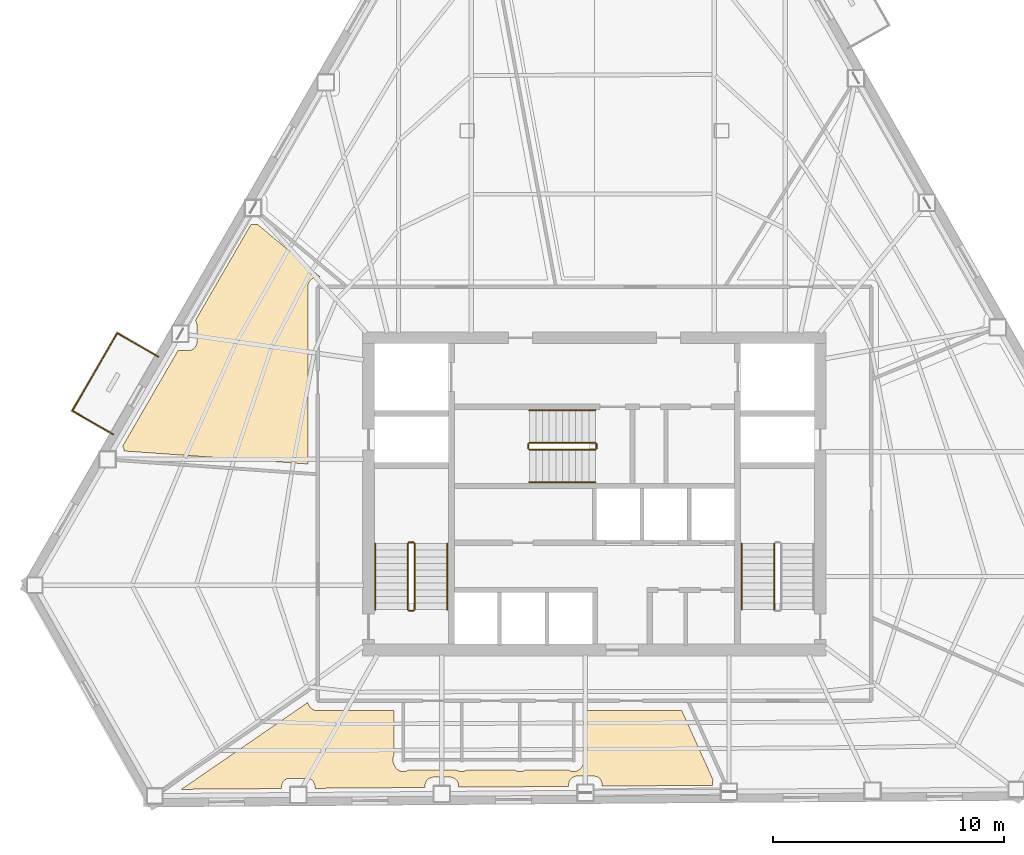
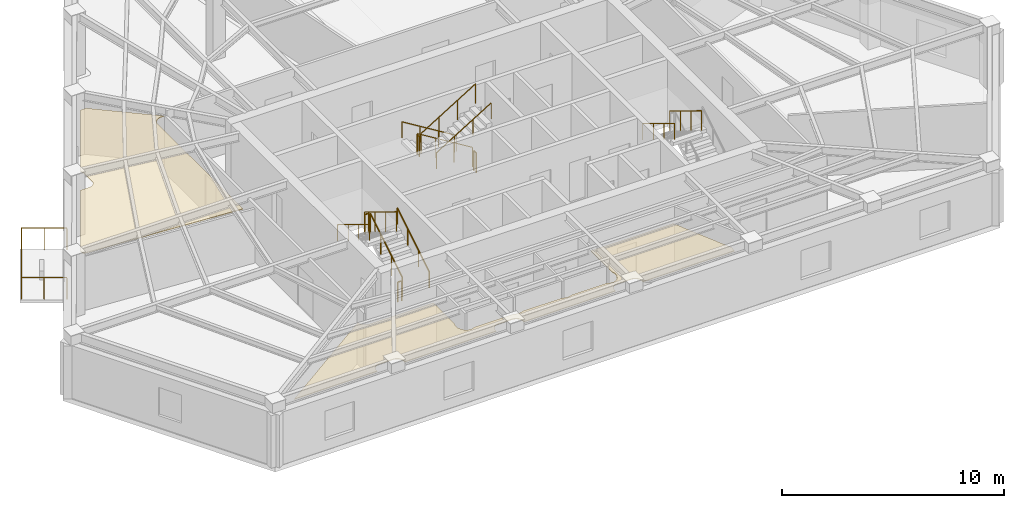
# One storey, part 8 of 10: 17 railings, 2 coverings.
"""IFC4 building model written with IfcOpenShell, lengths in metres."""

from ifc_helpers import new_model, si_unit, direction, frame, origin, origin_2d, place, context, subcontext, project, spatial, polyline, circle, outline, extrude, material, layer, layer_set, type_object, element, save


model = new_model("IFC4")

# Units and contexts
model_context = context("Model", 3, precision=1e-05, world=origin(), true_north=direction((0.0, 1.0)))
body_context = subcontext(model_context, "Body", "Model", "MODEL_VIEW")
ifc_project = project(units=[si_unit("LENGTHUNIT", "METRE"), si_unit("AREAUNIT", "SQUARE_METRE"), si_unit("VOLUMEUNIT", "CUBIC_METRE"), si_unit("PLANEANGLEUNIT", "RADIAN"), si_unit("MASSUNIT", "GRAM", prefix="KILO")], contexts=[model_context])

# Site, building, storey
site_placement = place(None, origin())
site = spatial("IfcSite", under=ifc_project, at=site_placement, CompositionType="ELEMENT")
building_placement = place(site_placement, origin())
building = spatial("IfcBuilding", under=site, at=building_placement, Name="Kavelnor Concourse Tower", CompositionType="ELEMENT")
storey_placement = place(building_placement, frame((0.0, 0.0, 150.949951171875)))
storey = spatial("IfcBuildingStorey", under=building, at=storey_placement, Name="L38", CompositionType="ELEMENT", Elevation=150.949951171875)

# Coverings
ifc_material_1 = material(Name="Mineral fibre acoustic ceiling tile")
ifc_layer = layer(ifc_material_1, 0.0400390625, Name="Mineral fibre acoustic ceiling tile")
ifc_layer_set = layer_set([ifc_layer], Name="Mineral fibre acoustic ceiling tile")
covering_type = type_object("IfcCoveringType", Name="COV-CEILING-ACOUSTIC", PredefinedType="CEILING", material=ifc_layer_set)
covering_1_placement = place(storey_placement, frame((0.0, 0.0, 2.75)))
element("IfcCovering", 1, at=covering_1_placement, inside=storey, type_object=covering_type, Name="L38 Suspended Acoustic Ceiling", PredefinedType="CEILING", context=body_context, shape_type="SweptSolid", body=[
    extrude(outline(polyline([(17.664794921875, 17.958251953125), (17.66357421875, 17.9853515625), (17.658447265625, 18.020263671875), (17.64990234375, 18.0546875), (17.637939453125, 18.087890625), (17.622802734375, 18.119873046875), (17.6044921875, 18.150146484375), (17.597900390625, 18.1591796875), (19.997314453125, 22.30517578125), (20.458740234375, 22.30517578125), (20.485595703125, 22.306396484375), (20.520751953125, 22.3115234375), (20.554931640625, 22.3203125), (20.58837890625, 22.33203125), (20.620361328125, 22.34716796875), (20.650634765625, 22.365478515625), (20.678955078125, 22.386474609375), (20.705078125, 22.410400390625), (20.72900390625, 22.4365234375), (20.75, 22.46484375), (20.768310546875, 22.4951171875), (20.783447265625, 22.527099609375), (20.79541015625, 22.560546875), (20.803955078125, 22.5947265625), (20.80908203125, 22.6298828125), (20.810302734375, 22.65673828125), (20.810302734375, 23.393310546875), (20.80908203125, 23.42041015625), (20.803955078125, 23.455322265625), (20.79541015625, 23.48974609375), (20.783447265625, 23.52294921875), (20.768310546875, 23.554931640625), (20.75, 23.585205078125), (20.743408203125, 23.59423828125), (23.142822265625, 27.739990234375), (23.449462890625, 27.739990234375), (26.158203125, 25.472412109375), (26.021728515625, 25.472412109375), (25.988525390625, 25.470947265625), (25.947509765625, 25.46484375), (25.9072265625, 25.45458984375), (25.8681640625, 25.440673828125), (25.83056640625, 25.423095703125), (25.794921875, 25.401611328125), (25.76171875, 25.376953125), (25.73095703125, 25.34912109375), (25.703125, 25.318359375), (25.678466796875, 25.284912109375), (25.656982421875, 25.24951171875), (25.639404296875, 25.2119140625), (25.625244140625, 25.1728515625), (25.615234375, 25.132568359375), (25.609130859375, 25.091552734375), (25.607421875, 25.058349609375), (25.607421875, 17.39306640625), (17.664794921875, 17.955078125), (17.664794921875, 17.958251953125)])), origin(), (0.0, 0.0, 1.0), 0.0400390625),
])
covering_2_placement = place(storey_placement, frame((0.0, 0.0, 2.75)))
element("IfcCovering", 2, at=covering_2_placement, inside=storey, type_object=covering_type, Name="L38 Suspended Acoustic Ceiling", PredefinedType="CEILING", context=body_context, shape_type="SweptSolid", body=[
    extrude(outline(polyline([(25.6123046875, 7.0869140625), (25.615234375, 7.0673828125), (25.625244140625, 7.027099609375), (25.639404296875, 6.98828125), (25.656982421875, 6.95068359375), (25.678466796875, 6.9150390625), (25.703125, 6.881591796875), (25.73095703125, 6.85107421875), (25.76171875, 6.822998046875), (25.794921875, 6.79833984375), (25.83056640625, 6.777099609375), (25.8681640625, 6.75927734375), (25.9072265625, 6.745361328125), (25.947509765625, 6.735107421875), (25.988525390625, 6.72900390625), (26.021728515625, 6.7275390625), (29.3349609375, 6.7275390625), (29.3349609375, 4.79541015625), (29.33251953125, 4.791015625), (29.3154296875, 4.755126953125), (29.302001953125, 4.7177734375), (29.29248046875, 4.67919921875), (29.28662109375, 4.6396484375), (29.28466796875, 4.60009765625), (29.28662109375, 4.560302734375), (29.29248046875, 4.52099609375), (29.302001953125, 4.482421875), (29.3154296875, 4.44482421875), (29.33251953125, 4.408935546875), (29.352783203125, 4.374755859375), (29.3564453125, 4.3701171875), (29.365478515625, 4.344970703125), (29.382568359375, 4.308837890625), (29.40283203125, 4.27490234375), (29.426513671875, 4.242919921875), (29.453369140625, 4.21337890625), (29.48291015625, 4.1865234375), (29.514892578125, 4.162841796875), (29.548828125, 4.142578125), (29.5849609375, 4.12548828125), (29.622314453125, 4.112060546875), (29.660888671875, 4.102294921875), (29.7001953125, 4.096435546875), (29.739990234375, 4.094482421875), (29.77978515625, 4.096435546875), (29.819091796875, 4.102294921875), (29.857666015625, 4.112060546875), (29.89501953125, 4.12548828125), (29.93115234375, 4.142578125), (29.96044921875, 4.159912109375), (32.03955078125, 4.159912109375), (32.06884765625, 4.142578125), (32.10498046875, 4.12548828125), (32.142333984375, 4.112060546875), (32.180908203125, 4.102294921875), (32.22021484375, 4.096435546875), (32.260009765625, 4.094482421875), (32.2998046875, 4.096435546875), (32.339111328125, 4.102294921875), (32.377685546875, 4.112060546875), (32.4150390625, 4.12548828125), (32.451171875, 4.142578125), (32.48046875, 4.159912109375), (34.5595703125, 4.159912109375), (34.5888671875, 4.142578125), (34.625, 4.12548828125), (34.662353515625, 4.112060546875), (34.700927734375, 4.102294921875), (34.740234375, 4.096435546875), (34.780029296875, 4.094482421875), (34.819580078125, 4.096435546875), (34.859130859375, 4.102294921875), (34.897705078125, 4.112060546875), (34.93505859375, 4.12548828125), (34.97119140625, 4.142578125), (35.00048828125, 4.159912109375), (36.879638671875, 4.159912109375), (36.908935546875, 4.142578125), (36.94482421875, 4.12548828125), (36.982421875, 4.112060546875), (37.02099609375, 4.102294921875), (37.060302734375, 4.096435546875), (37.10009765625, 4.094482421875), (37.1396484375, 4.096435546875), (37.17919921875, 4.102294921875), (37.2177734375, 4.112060546875), (37.255126953125, 4.12548828125), (37.291015625, 4.142578125), (37.3251953125, 4.162841796875), (37.357177734375, 4.1865234375), (37.38671875, 4.21337890625), (37.413330078125, 4.242919921875), (37.43701171875, 4.27490234375), (37.45751953125, 4.308837890625), (37.474609375, 4.344970703125), (37.4833984375, 4.3701171875), (37.487060546875, 4.374755859375), (37.507568359375, 4.408935546875), (37.524658203125, 4.44482421875), (37.5380859375, 4.482421875), (37.547607421875, 4.52099609375), (37.553466796875, 4.560302734375), (37.555419921875, 4.60009765625), (37.553466796875, 4.6396484375), (37.547607421875, 4.67919921875), (37.5380859375, 4.7177734375), (37.524658203125, 4.755126953125), (37.507568359375, 4.791015625), (37.5048828125, 4.79541015625), (37.5048828125, 6.7275390625), (41.778564453125, 6.7275390625), (43.12939453125, 3.73681640625), (43.123046875, 3.722900390625), (43.111083984375, 3.689697265625), (43.1025390625, 3.655517578125), (43.097412109375, 3.620361328125), (43.095947265625, 3.593505859375), (43.095947265625, 3.499755859375), (38.328125, 3.463623046875), (38.328125, 3.54638671875), (38.326904296875, 3.573486328125), (38.321533203125, 3.6083984375), (38.31298828125, 3.642822265625), (38.301025390625, 3.676025390625), (38.285888671875, 3.7080078125), (38.267822265625, 3.73828125), (38.24658203125, 3.766845703125), (38.222900390625, 3.79296875), (38.19677734375, 3.81689453125), (38.168212890625, 3.837890625), (38.137939453125, 3.856201171875), (38.10595703125, 3.87109375), (38.07275390625, 3.883056640625), (38.038330078125, 3.8916015625), (38.00341796875, 3.89697265625), (37.976318359375, 3.898193359375), (37.23974609375, 3.898193359375), (37.212890625, 3.89697265625), (37.177734375, 3.8916015625), (37.1435546875, 3.883056640625), (37.110107421875, 3.87109375), (37.078125, 3.856201171875), (37.0478515625, 3.837890625), (37.01953125, 3.81689453125), (36.993408203125, 3.79296875), (36.969482421875, 3.766845703125), (36.948486328125, 3.73828125), (36.93017578125, 3.7080078125), (36.9150390625, 3.676025390625), (36.9033203125, 3.642822265625), (36.89453125, 3.6083984375), (36.889404296875, 3.573486328125), (36.88818359375, 3.54638671875), (36.88818359375, 3.452880859375), (32.1201171875, 3.416748046875), (32.1201171875, 3.49951171875), (32.118896484375, 3.526611328125), (32.11376953125, 3.5615234375), (32.10498046875, 3.595947265625), (32.09326171875, 3.629150390625), (32.078125, 3.6611328125), (32.059814453125, 3.69140625), (32.038818359375, 3.719970703125), (32.014892578125, 3.74609375), (31.98876953125, 3.77001953125), (31.96044921875, 3.791015625), (31.93017578125, 3.80908203125), (31.898193359375, 3.82421875), (31.86474609375, 3.836181640625), (31.83056640625, 3.8447265625), (31.79541015625, 3.85009765625), (31.7685546875, 3.851318359375), (31.031982421875, 3.851318359375), (31.0048828125, 3.85009765625), (30.969970703125, 3.8447265625), (30.935546875, 3.836181640625), (30.90234375, 3.82421875), (30.870361328125, 3.80908203125), (30.840087890625, 3.791015625), (30.8115234375, 3.77001953125), (30.785400390625, 3.74609375), (30.76171875, 3.719970703125), (30.740478515625, 3.69140625), (30.722412109375, 3.6611328125), (30.707275390625, 3.629150390625), (30.6953125, 3.595947265625), (30.686767578125, 3.5615234375), (30.681396484375, 3.526611328125), (30.68017578125, 3.49951171875), (30.68017578125, 3.406005859375), (25.912353515625, 3.369873046875), (25.912353515625, 3.452880859375), (25.9111328125, 3.479736328125), (25.906005859375, 3.514892578125), (25.897216796875, 3.549072265625), (25.885498046875, 3.58251953125), (25.870361328125, 3.614501953125), (25.85205078125, 3.644775390625), (25.8310546875, 3.673095703125), (25.80712890625, 3.69921875), (25.781005859375, 3.72314453125), (25.752685546875, 3.744140625), (25.722412109375, 3.762451171875), (25.690185546875, 3.777587890625), (25.656982421875, 3.789306640625), (25.622802734375, 3.798095703125), (25.587646484375, 3.80322265625), (25.560791015625, 3.804443359375), (24.82421875, 3.804443359375), (24.797119140625, 3.80322265625), (24.76220703125, 3.798095703125), (24.727783203125, 3.789306640625), (24.694580078125, 3.777587890625), (24.66259765625, 3.762451171875), (24.632080078125, 3.744140625), (24.603759765625, 3.72314453125), (24.57763671875, 3.69921875), (24.5537109375, 3.673095703125), (24.53271484375, 3.644775390625), (24.514404296875, 3.614501953125), (24.49951171875, 3.58251953125), (24.487548828125, 3.549072265625), (24.47900390625, 3.514892578125), (24.4736328125, 3.479736328125), (24.472412109375, 3.452880859375), (24.472412109375, 3.359130859375), (20.1376953125, 3.326416015625), (25.6123046875, 7.0869140625)])), origin(), (0.0, 0.0, 1.0), 0.0400390625),
])

# Railings
ifc_material_2 = material(Name="Steel Grade 350", Category="steel")
railing_type_1 = type_object("IfcRailingType", Name="RLG-GUARD-1100", PredefinedType="GUARDRAIL", material=ifc_material_2)
railing_1_placement = place(storey_placement, frame((30.22998046875, 11.10009765625, 0.175048828125)))
element("IfcRailing", 3, at=railing_1_placement, inside=storey, type_object=railing_type_1, Name="L38 ST1 stair guard 1", PredefinedType="GUARDRAIL", context=body_context, shape_type="SweptSolid", body=[
    extrude(circle(Radius=0.02392578125, at=origin_2d()), frame((0.0, 0.0, 1.076171875), z_axis=(0.0, 0.852159232446, 0.523282564737), x_axis=(-1.0, 0.0, 0.0)), (0.0, 0.0, 1.0), 3.34423828125),
    extrude(circle(Radius=0.02099609375, at=origin_2d()), origin(), (0.0, 0.0, 1.0), 1.052001953125),
    extrude(circle(Radius=0.02099609375, at=origin_2d()), frame((0.0, 0.949951171875, 0.583251953125)), (0.0, 0.0, 1.0), 1.052001953125),
    extrude(circle(Radius=0.02099609375, at=origin_2d()), frame((0.0, 1.89990234375, 1.166748046875)), (0.0, 0.0, 1.0), 1.052001953125),
    extrude(circle(Radius=0.02099609375, at=origin_2d()), frame((0.0, 2.849853515625, 1.75)), (0.0, 0.0, 1.0), 1.052001953125),
])
railing_2_placement = place(storey_placement, frame((30.179931640625, 14.0, 1.925048828125)))
element("IfcRailing", 4, at=railing_2_placement, inside=storey, type_object=railing_type_1, Name="L38 ST1 stair guard 2", PredefinedType="GUARDRAIL", context=body_context, shape_type="SweptSolid", body=[
    extrude(circle(Radius=0.02392578125, at=origin_2d()), frame((0.0, 0.0, 1.076171875), z_axis=(-1.0, 0.0, 0.0), x_axis=(0.0, -1.0, 0.0)), (0.0, 0.0, 1.0), 0.199951171875),
    extrude(circle(Radius=0.02099609375, at=origin_2d()), origin(), (0.0, 0.0, 1.0), 1.052001953125),
    extrude(circle(Radius=0.02099609375, at=origin_2d()), frame((-0.199951171875, 0.0, 0.0)), (0.0, 0.0, 1.0), 1.052001953125),
])
railing_3_placement = place(storey_placement, frame((29.929931640625, 13.949951171875, 2.10009765625)))
element("IfcRailing", 5, at=railing_3_placement, inside=storey, type_object=railing_type_1, Name="L38 ST1 stair guard 3", PredefinedType="GUARDRAIL", context=body_context, shape_type="SweptSolid", body=[
    extrude(circle(Radius=0.02392578125, at=origin_2d()), frame((0.0, 0.0, 1.076171875), z_axis=(0.0, -0.852159232446, 0.523282564737), x_axis=(1.0, 0.0, 0.0)), (0.0, 0.0, 1.0), 3.34423828125),
    extrude(circle(Radius=0.02099609375, at=origin_2d()), origin(), (0.0, 0.0, 1.0), 1.052001953125),
    extrude(circle(Radius=0.02099609375, at=origin_2d()), frame((0.0, -0.949951171875, 0.583251953125)), (0.0, 0.0, 1.0), 1.052001953125),
    extrude(circle(Radius=0.02099609375, at=origin_2d()), frame((0.0, -1.89990234375, 1.166748046875)), (0.0, 0.0, 1.0), 1.052001953125),
    extrude(circle(Radius=0.02099609375, at=origin_2d()), frame((0.0, -2.849853515625, 1.75)), (0.0, 0.0, 1.0), 1.052001953125),
])
railing_4_placement = place(storey_placement, frame((30.179931640625, 11.050048828125, 0.0)))
element("IfcRailing", 6, at=railing_4_placement, inside=storey, type_object=railing_type_1, Name="L38 ST1 stair guard 4", PredefinedType="GUARDRAIL", context=body_context, shape_type="SweptSolid", body=[
    extrude(circle(Radius=0.02392578125, at=origin_2d()), frame((0.0, 0.0, 1.076171875), z_axis=(-1.0, 0.0, 0.0), x_axis=(0.0, -1.0, 0.0)), (0.0, 0.0, 1.0), 0.199951171875),
    extrude(circle(Radius=0.02099609375, at=origin_2d()), origin(), (0.0, 0.0, 1.0), 1.052001953125),
    extrude(circle(Radius=0.02099609375, at=origin_2d()), frame((-0.199951171875, 0.0, 0.0)), (0.0, 0.0, 1.0), 1.052001953125),
])
railing_5_placement = place(storey_placement, frame((45.77001953125, 13.949951171875, 2.10009765625)))
element("IfcRailing", 7, at=railing_5_placement, inside=storey, type_object=railing_type_1, Name="L38 ST2 stair guard 3", PredefinedType="GUARDRAIL", context=body_context, shape_type="SweptSolid", body=[
    extrude(circle(Radius=0.02392578125, at=origin_2d()), frame((0.0, 0.0, 1.076171875), z_axis=(0.0, -0.852159232446, 0.523282564737), x_axis=(1.0, 0.0, 0.0)), (0.0, 0.0, 1.0), 3.34423828125),
    extrude(circle(Radius=0.02099609375, at=origin_2d()), origin(), (0.0, 0.0, 1.0), 1.052001953125),
    extrude(circle(Radius=0.02099609375, at=origin_2d()), frame((0.0, -0.949951171875, 0.583251953125)), (0.0, 0.0, 1.0), 1.052001953125),
    extrude(circle(Radius=0.02099609375, at=origin_2d()), frame((0.0, -1.89990234375, 1.166748046875)), (0.0, 0.0, 1.0), 1.052001953125),
    extrude(circle(Radius=0.02099609375, at=origin_2d()), frame((0.0, -2.849853515625, 1.75)), (0.0, 0.0, 1.0), 1.052001953125),
])
railing_6_placement = place(storey_placement, frame((38.0400390625, 18.31005859375, 0.175048828125)))
element("IfcRailing", 8, at=railing_6_placement, inside=storey, type_object=railing_type_1, Name="L38 ST3 stair guard 1", PredefinedType="GUARDRAIL", context=body_context, shape_type="SweptSolid", body=[
    extrude(circle(Radius=0.02392578125, at=origin_2d()), frame((0.0, 0.0, 1.076171875), z_axis=(-0.852179220489, 0.0, 0.52325001306), x_axis=(0.0, -1.0, 0.0)), (0.0, 0.0, 1.0), 3.344482421875),
    extrude(circle(Radius=0.02099609375, at=origin_2d()), origin(), (0.0, 0.0, 1.0), 1.052001953125),
    extrude(circle(Radius=0.02099609375, at=origin_2d()), frame((-0.949951171875, 0.0, 0.583251953125)), (0.0, 0.0, 1.0), 1.052001953125),
    extrude(circle(Radius=0.02099609375, at=origin_2d()), frame((-1.900146484375, 0.0, 1.166748046875)), (0.0, 0.0, 1.0), 1.052001953125),
    extrude(circle(Radius=0.02099609375, at=origin_2d()), frame((-2.85009765625, 0.0, 1.75)), (0.0, 0.0, 1.0), 1.052001953125),
])
railing_7_placement = place(storey_placement, frame((35.139892578125, 18.260009765625, 1.925048828125)))
element("IfcRailing", 9, at=railing_7_placement, inside=storey, type_object=railing_type_1, Name="L38 ST3 stair guard 2", PredefinedType="GUARDRAIL", context=body_context, shape_type="SweptSolid", body=[
    extrude(circle(Radius=0.02392578125, at=origin_2d()), frame((0.0, 0.0, 1.076171875), z_axis=(0.0, -1.0, 0.0), x_axis=(1.0, 0.0, 0.0)), (0.0, 0.0, 1.0), 0.199951171875),
    extrude(circle(Radius=0.02099609375, at=origin_2d()), origin(), (0.0, 0.0, 1.0), 1.052001953125),
    extrude(circle(Radius=0.02099609375, at=origin_2d()), frame((0.0, -0.199951171875, 0.0)), (0.0, 0.0, 1.0), 1.052001953125),
])
railing_8_placement = place(storey_placement, frame((35.18994140625, 18.010009765625, 2.10009765625)))
element("IfcRailing", 10, at=railing_8_placement, inside=storey, type_object=railing_type_1, Name="L38 ST3 stair guard 3", PredefinedType="GUARDRAIL", context=body_context, shape_type="SweptSolid", body=[
    extrude(circle(Radius=0.02392578125, at=origin_2d()), frame((0.0, 0.0, 1.076171875), z_axis=(0.852179220489, 0.0, 0.52325001306), x_axis=(0.0, 1.0, 0.0)), (0.0, 0.0, 1.0), 3.344482421875),
    extrude(circle(Radius=0.02099609375, at=origin_2d()), origin(), (0.0, 0.0, 1.0), 1.052001953125),
    extrude(circle(Radius=0.02099609375, at=origin_2d()), frame((0.949951171875, 0.0, 0.583251953125)), (0.0, 0.0, 1.0), 1.052001953125),
    extrude(circle(Radius=0.02099609375, at=origin_2d()), frame((1.900146484375, 0.0, 1.166748046875)), (0.0, 0.0, 1.0), 1.052001953125),
    extrude(circle(Radius=0.02099609375, at=origin_2d()), frame((2.85009765625, 0.0, 1.75)), (0.0, 0.0, 1.0), 1.052001953125),
])
railing_9_placement = place(storey_placement, frame((38.090087890625, 18.260009765625, 0.0)))
element("IfcRailing", 11, at=railing_9_placement, inside=storey, type_object=railing_type_1, Name="L38 ST3 stair guard 4", PredefinedType="GUARDRAIL", context=body_context, shape_type="SweptSolid", body=[
    extrude(circle(Radius=0.02392578125, at=origin_2d()), frame((0.0, 0.0, 1.076171875), z_axis=(0.0, -1.0, 0.0), x_axis=(1.0, 0.0, 0.0)), (0.0, 0.0, 1.0), 0.199951171875),
    extrude(circle(Radius=0.02099609375, at=origin_2d()), origin(), (0.0, 0.0, 1.0), 1.052001953125),
    extrude(circle(Radius=0.02099609375, at=origin_2d()), frame((0.0, -0.199951171875, 0.0)), (0.0, 0.0, 1.0), 1.052001953125),
])
railing_type_2 = type_object("IfcRailingType", Name="RLG-HANDRAIL-900", PredefinedType="HANDRAIL", material=ifc_material_2)
railing_10_placement = place(storey_placement, frame((31.6298828125, 11.10009765625, 0.175048828125)))
element("IfcRailing", 12, at=railing_10_placement, inside=storey, type_object=railing_type_2, Name="L38 ST1 stair handrail 1", PredefinedType="HANDRAIL", context=body_context, shape_type="SweptSolid", body=[
    extrude(circle(Radius=0.02392578125, at=origin_2d()), frame((0.0, 0.0, 0.8759765625), z_axis=(0.0, 0.852159232446, 0.523282564737), x_axis=(-1.0, 0.0, 0.0)), (0.0, 0.0, 1.0), 3.34423828125),
    extrude(circle(Radius=0.02099609375, at=origin_2d()), origin(), (0.0, 0.0, 1.0), 0.851806640625),
    extrude(circle(Radius=0.02099609375, at=origin_2d()), frame((0.0, 0.949951171875, 0.583251953125)), (0.0, 0.0, 1.0), 0.851806640625),
    extrude(circle(Radius=0.02099609375, at=origin_2d()), frame((0.0, 1.89990234375, 1.166748046875)), (0.0, 0.0, 1.0), 0.851806640625),
    extrude(circle(Radius=0.02099609375, at=origin_2d()), frame((0.0, 2.849853515625, 1.75)), (0.0, 0.0, 1.0), 0.851806640625),
])
for number, where, name in (
    (13, (28.530029296875, 13.949951171875, 2.10009765625), "L38 ST1 stair handrail 2"),
    (14, (44.3701171875, 13.949951171875, 2.10009765625), "L38 ST2 stair handrail 2"),
):
    element("IfcRailing", number, at=place(storey_placement, frame(where)), inside=storey, type_object=railing_type_2, Name=name, PredefinedType="HANDRAIL", context=body_context, shape_type="SweptSolid", body=[
        extrude(circle(Radius=0.02392578125, at=origin_2d()), frame((0.0, 0.0, 0.8759765625), z_axis=(0.0, -0.852159232446, 0.523282564737), x_axis=(1.0, 0.0, 0.0)), (0.0, 0.0, 1.0), 3.34423828125),
        extrude(circle(Radius=0.02099609375, at=origin_2d()), origin(), (0.0, 0.0, 1.0), 0.851806640625),
        extrude(circle(Radius=0.02099609375, at=origin_2d()), frame((0.0, -0.949951171875, 0.583251953125)), (0.0, 0.0, 1.0), 0.851806640625),
        extrude(circle(Radius=0.02099609375, at=origin_2d()), frame((0.0, -1.89990234375, 1.166748046875)), (0.0, 0.0, 1.0), 0.851806640625),
        extrude(circle(Radius=0.02099609375, at=origin_2d()), frame((0.0, -2.849853515625, 1.75)), (0.0, 0.0, 1.0), 0.851806640625),
    ])
railing_11_placement = place(storey_placement, frame((38.0400390625, 19.7099609375, 0.175048828125)))
element("IfcRailing", 15, at=railing_11_placement, inside=storey, type_object=railing_type_2, Name="L38 ST3 stair handrail 1", PredefinedType="HANDRAIL", context=body_context, shape_type="SweptSolid", body=[
    extrude(circle(Radius=0.02392578125, at=origin_2d()), frame((0.0, 0.0, 0.8759765625), z_axis=(-0.852179220489, 0.0, 0.52325001306), x_axis=(0.0, -1.0, 0.0)), (0.0, 0.0, 1.0), 3.344482421875),
    extrude(circle(Radius=0.02099609375, at=origin_2d()), origin(), (0.0, 0.0, 1.0), 0.851806640625),
    extrude(circle(Radius=0.02099609375, at=origin_2d()), frame((-0.949951171875, 0.0, 0.583251953125)), (0.0, 0.0, 1.0), 0.851806640625),
    extrude(circle(Radius=0.02099609375, at=origin_2d()), frame((-1.900146484375, 0.0, 1.166748046875)), (0.0, 0.0, 1.0), 0.851806640625),
    extrude(circle(Radius=0.02099609375, at=origin_2d()), frame((-2.85009765625, 0.0, 1.75)), (0.0, 0.0, 1.0), 0.851806640625),
])
railing_12_placement = place(storey_placement, frame((35.18994140625, 16.610107421875, 2.10009765625)))
element("IfcRailing", 16, at=railing_12_placement, inside=storey, type_object=railing_type_2, Name="L38 ST3 stair handrail 2", PredefinedType="HANDRAIL", context=body_context, shape_type="SweptSolid", body=[
    extrude(circle(Radius=0.02392578125, at=origin_2d()), frame((0.0, 0.0, 0.8759765625), z_axis=(0.852179220489, 0.0, 0.52325001306), x_axis=(0.0, 1.0, 0.0)), (0.0, 0.0, 1.0), 3.344482421875),
    extrude(circle(Radius=0.02099609375, at=origin_2d()), origin(), (0.0, 0.0, 1.0), 0.851806640625),
    extrude(circle(Radius=0.02099609375, at=origin_2d()), frame((0.949951171875, 0.0, 0.583251953125)), (0.0, 0.0, 1.0), 0.851806640625),
    extrude(circle(Radius=0.02099609375, at=origin_2d()), frame((1.900146484375, 0.0, 1.166748046875)), (0.0, 0.0, 1.0), 0.851806640625),
    extrude(circle(Radius=0.02099609375, at=origin_2d()), frame((2.85009765625, 0.0, 1.75)), (0.0, 0.0, 1.0), 0.851806640625),
])
ifc_material_3 = material(Name="Architectural bronze-anodised aluminium", Category="aluminium")
railing_type_3 = type_object("IfcRailingType", Name="RLG-TERRACE-1200", PredefinedType="BALUSTRADE", material=ifc_material_3)
railing_13_placement = place(storey_placement, frame((19.143310546875, 22.027587890625, 0.0)))
element("IfcRailing", 17, at=railing_13_placement, inside=storey, type_object=railing_type_3, Name="L38 Tree Balcony 2 Guardrail L", PredefinedType="BALUSTRADE", context=body_context, shape_type="SweptSolid", body=[
    extrude(circle(Radius=0.02392578125, at=origin_2d()), frame((0.0, 0.0, 1.17578125), z_axis=(-0.865488793102, 0.500928287297, 0.0), x_axis=(-0.500928287297, -0.865488793102, 0.0)), (0.0, 0.0, 1.0), 2.0498046875),
    extrude(circle(Radius=0.02099609375, at=origin_2d()), origin(), (0.0, 0.0, 1.0), 1.15185546875),
    extrude(circle(Radius=0.02099609375, at=origin_2d()), frame((-0.88720703125, 0.513427734375, 0.0)), (0.0, 0.0, 1.0), 1.15185546875),
    extrude(circle(Radius=0.02099609375, at=origin_2d()), frame((-1.774169921875, 1.02685546875, 0.0)), (0.0, 0.0, 1.0), 1.15185546875),
])
railing_14_placement = place(storey_placement, frame((17.369140625, 23.054443359375, 0.0)))
element("IfcRailing", 18, at=railing_14_placement, inside=storey, type_object=railing_type_3, Name="L38 Tree Balcony 2 Guardrail F", PredefinedType="BALUSTRADE", context=body_context, shape_type="SweptSolid", body=[
    extrude(circle(Radius=0.02392578125, at=origin_2d()), frame((0.0, 0.0, 1.17578125), z_axis=(-0.500922171079, -0.865492333023, 0.0), x_axis=(0.865492333023, -0.500922171079, 0.0)), (0.0, 0.0, 1.0), 3.880126953125),
    extrude(circle(Radius=0.02099609375, at=origin_2d()), origin(), (0.0, 0.0, 1.0), 1.15185546875),
    extrude(circle(Radius=0.02099609375, at=origin_2d()), frame((-0.48583984375, -0.839599609375, 0.0)), (0.0, 0.0, 1.0), 1.15185546875),
    extrude(circle(Radius=0.02099609375, at=origin_2d()), frame((-0.9716796875, -1.67919921875, 0.0)), (0.0, 0.0, 1.0), 1.15185546875),
    extrude(circle(Radius=0.02099609375, at=origin_2d()), frame((-1.457763671875, -2.5185546875, 0.0)), (0.0, 0.0, 1.0), 1.15185546875),
    extrude(circle(Radius=0.02099609375, at=origin_2d()), frame((-1.943603515625, -3.358154296875, 0.0)), (0.0, 0.0, 1.0), 1.15185546875),
])
railing_15_placement = place(storey_placement, frame((15.425537109375, 19.6962890625, 0.0)))
element("IfcRailing", 19, at=railing_15_placement, inside=storey, type_object=railing_type_3, Name="L38 Tree Balcony 2 Guardrail R", PredefinedType="BALUSTRADE", context=body_context, shape_type="SweptSolid", body=[
    extrude(circle(Radius=0.02392578125, at=origin_2d()), frame((0.0, 0.0, 1.17578125), z_axis=(0.865488793102, -0.500928287297, 0.0), x_axis=(0.500928287297, 0.865488793102, 0.0)), (0.0, 0.0, 1.0), 2.0498046875),
    extrude(circle(Radius=0.02099609375, at=origin_2d()), origin(), (0.0, 0.0, 1.0), 1.15185546875),
    extrude(circle(Radius=0.02099609375, at=origin_2d()), frame((0.88720703125, -0.513427734375, 0.0)), (0.0, 0.0, 1.0), 1.15185546875),
    extrude(circle(Radius=0.02099609375, at=origin_2d()), frame((1.774169921875, -1.02685546875, 0.0)), (0.0, 0.0, 1.0), 1.15185546875),
])

save(model, "model.ifc")
